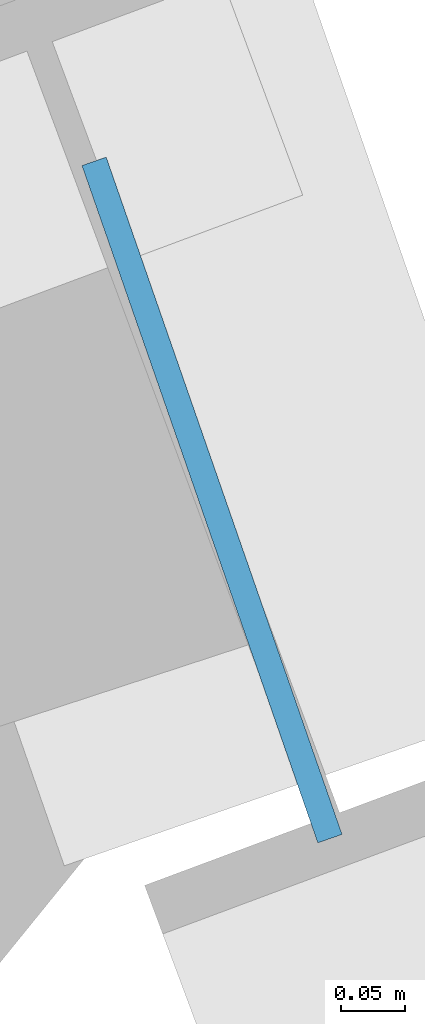
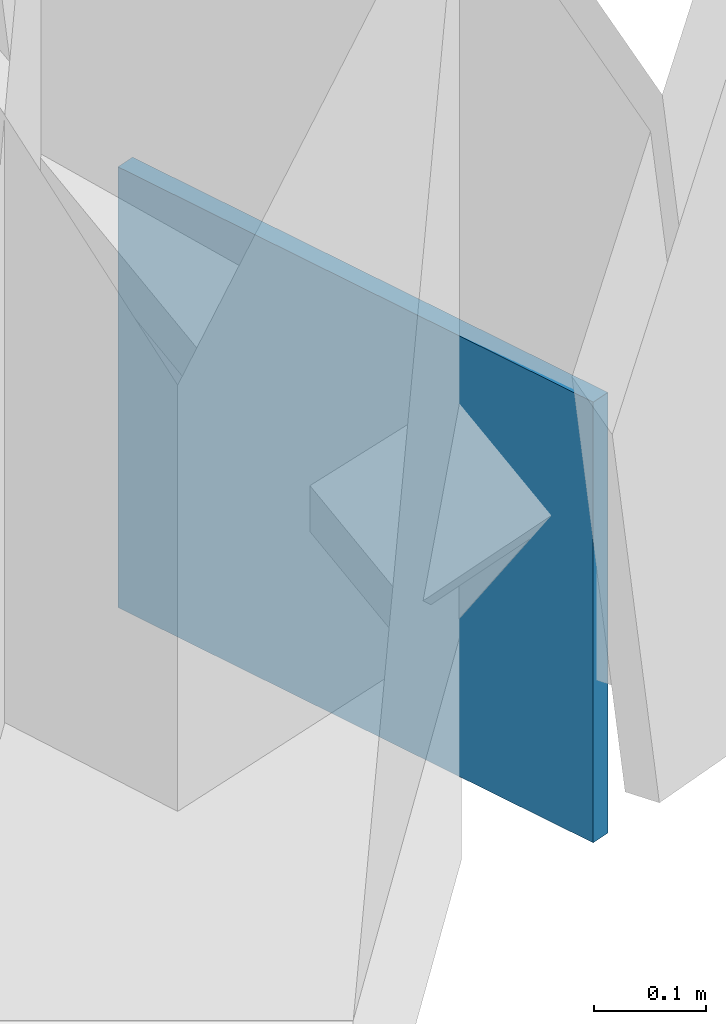
# One storey, part 11 of 21: 1 plate.
"""IFC4 building model written with IfcOpenShell, lengths in metres."""

import ifcopenshell
import ifcopenshell.guid

model = None  # the IFC model being written
_history = None  # IfcOwnerHistory: only IFC2X3 demands one
_inside = {}  # id of a spatial element -> (the spatial element, [elements in it])
_under = {}  # id of a project, library or spatial element -> (it, [spatial elements below it])
_declared = {}  # id of a project -> (the project, [libraries it declares])
_typed = {}  # id of a type object -> (the type object, [elements of that type])
_made_of = {}  # id of a material, layer set ... -> (it, [elements and type objects made of it])


def new_model(schema):
    """Start an empty IFC model of exactly this schema.

    Asked for "IFC4X3", IfcOpenShell would pick the latest addendum, in which some entities
    have other attributes; the version numbers below select the first issue.
    IFC2X3 requires an IfcOwnerHistory on every rooted entity: one is made here for all.
    """
    global model, _history
    if schema == "IFC4X3":
        model = ifcopenshell.file(schema_version=(4, 3, 0, 0))
    else:
        model = ifcopenshell.file(schema=schema)
    _inside.clear()
    _under.clear()
    _declared.clear()
    _typed.clear()
    _made_of.clear()
    _history = None
    if model.schema == "IFC2X3":
        org = make("IfcOrganization", Name="unknown")
        user = make(
            "IfcPersonAndOrganization",
            ThePerson=make("IfcPerson", FamilyName="unknown"),
            TheOrganization=org,
        )
        app = make(
            "IfcApplication",
            ApplicationDeveloper=org,
            Version="unknown",
            ApplicationFullName="unknown",
            ApplicationIdentifier="unknown",
        )
        _history = make(
            "IfcOwnerHistory",
            OwningUser=user,
            OwningApplication=app,
            ChangeAction="ADDED",
            CreationDate=0,
        )
    return model


def make(cls, **values):
    """One entity of the class cls with the attributes given. An attribute that is None is left unset."""
    return model.create_entity(
        cls, **{name: value for name, value in values.items() if value is not None}
    )


def rooted(cls, **values):
    """An entity with a GlobalId (a new one), such as an element, a storey or a relation."""
    return make(cls, GlobalId=ifcopenshell.guid.new(), OwnerHistory=_history, **values)


def si_unit(unit_type, name, prefix=None):
    """IfcSIUnit, for example si_unit("LENGTHUNIT", "METRE", prefix="MILLI")."""
    return make("IfcSIUnit", UnitType=unit_type, Prefix=prefix, Name=name)


def assignment(units):
    """IfcUnitAssignment: the units of a project."""
    return None if units is None else make("IfcUnitAssignment", Units=units)


def point(xyz):
    """IfcCartesianPoint."""
    return None if xyz is None else make("IfcCartesianPoint", Coordinates=xyz)


def direction(xyz):
    """IfcDirection."""
    return None if xyz is None else make("IfcDirection", DirectionRatios=xyz)


def frame(location, z_axis=None, x_axis=None):
    """IfcAxis2Placement3D, a coordinate frame: its origin and axes. An axis left out is left unset."""
    return make(
        "IfcAxis2Placement3D",
        Location=point(location),
        Axis=direction(z_axis),
        RefDirection=direction(x_axis),
    )


def frame_2d(location, x_axis=None):
    """IfcAxis2Placement2D, a coordinate frame in the plane: its origin and x axis."""
    return make(
        "IfcAxis2Placement2D", Location=point(location), RefDirection=direction(x_axis)
    )


def origin():
    """The frame at (0, 0, 0) with its axes left unset."""
    return frame((0.0, 0.0, 0.0))


def origin_2d():
    """The frame at (0, 0) in the plane with its x axis left unset."""
    return frame_2d((0.0, 0.0))


def place(relative_to, where):
    """IfcLocalPlacement: puts the frame where relative to a parent placement (None: the world)."""
    return make(
        "IfcLocalPlacement", PlacementRelTo=relative_to, RelativePlacement=where
    )


def context(
    kind, dimensions, precision=None, world=None, true_north=None, identifier=None
):
    """IfcGeometricRepresentationContext, for example the 3D "Model" context."""
    return make(
        "IfcGeometricRepresentationContext",
        ContextIdentifier=identifier,
        ContextType=kind,
        CoordinateSpaceDimension=dimensions,
        Precision=precision,
        WorldCoordinateSystem=world,
        TrueNorth=true_north,
    )


def subcontext(parent, identifier, kind, view, scale=None):
    """IfcGeometricRepresentationSubContext, for example "Body" below "Model"."""
    return make(
        "IfcGeometricRepresentationSubContext",
        ContextIdentifier=identifier,
        ContextType=kind,
        ParentContext=parent,
        TargetScale=scale,
        TargetView=view,
    )


def project(units=None, contexts=None):
    """IfcProject with its units and contexts."""
    return rooted(
        "IfcProject",
        Name="project",
        RepresentationContexts=contexts,
        UnitsInContext=assignment(units),
    )


def spatial(cls, under=None, at=None, **own):
    """A site, building, storey or space (cls), placed at a placement, below another one or the project."""
    s = rooted(cls, ObjectPlacement=at, **own)
    if under is not None:
        _under.setdefault(under.id(), (under, []))[1].append(s)
    return s


def profile(cls, at=None, kind="AREA", **sizes):
    """A parametric profile (cls). Its sizes go by their IFC names, for example OverallWidth=200.0."""
    return make(cls, ProfileType=kind, Position=at, **sizes)


def rectangle(**sizes):
    """IfcRectangleProfileDef."""
    return profile("IfcRectangleProfileDef", **sizes)


def extrude(swept, where, along, depth):
    """IfcExtrudedAreaSolid: the profile swept, set in the frame where, extruded along a direction by depth."""
    return make(
        "IfcExtrudedAreaSolid",
        SweptArea=swept,
        Position=where,
        ExtrudedDirection=direction(along),
        Depth=depth,
    )


def shape(context_of_items, identifier, shape_type, items):
    """IfcShapeRepresentation: the items that make up one representation, for example the "Body"."""
    return make(
        "IfcShapeRepresentation",
        ContextOfItems=context_of_items,
        RepresentationIdentifier=identifier,
        RepresentationType=shape_type,
        Items=items,
    )


def source(mapping_origin, context_of_items, identifier, shape_type, items):
    """IfcRepresentationMap: a shape defined once, which mapped items show again and again."""
    return make(
        "IfcRepresentationMap",
        MappingOrigin=mapping_origin,
        MappedRepresentation=shape(context_of_items, identifier, shape_type, items),
    )


def transform(
    local_origin,
    x_axis=None,
    y_axis=None,
    z_axis=None,
    scale=None,
    scale2=None,
    scale3=None,
    uniform=True,
):
    """IfcCartesianTransformationOperator3D, or its non-uniform kind. x_axis, y_axis, z_axis: its Axis1, 2, 3."""
    if uniform:
        return make(
            "IfcCartesianTransformationOperator3D",
            Axis1=direction(x_axis),
            Axis2=direction(y_axis),
            LocalOrigin=point(local_origin),
            Scale=scale,
            Axis3=direction(z_axis),
        )
    return make(
        "IfcCartesianTransformationOperator3DnonUniform",
        Axis1=direction(x_axis),
        Axis2=direction(y_axis),
        LocalOrigin=point(local_origin),
        Scale=scale,
        Axis3=direction(z_axis),
        Scale2=scale2,
        Scale3=scale3,
    )


def mapped(mapping_source, mapping_target):
    """IfcMappedItem: shows the shape of a source again, moved by a transform."""
    return make(
        "IfcMappedItem", MappingSource=mapping_source, MappingTarget=mapping_target
    )


def material(Name=None, Category=None):
    """IfcMaterial."""
    return make("IfcMaterial", Name=Name, Category=Category)


def made_of(thing, what):
    """Note that an element or type object is made of a material, layer set ...; save() writes the relation."""
    if what is not None:
        _made_of.setdefault(what.id(), (what, []))[1].append(thing)
    return thing


def type_object(cls, material=None, **own):
    """A type object (cls), such as IfcWallType, which elements share."""
    return made_of(rooted(cls, **own), material)


def element(
    cls,
    number,
    at=None,
    inside=None,
    cuts=None,
    type_object=None,
    material=None,
    context=None,
    identifier="Body",
    shape_type=None,
    held_by="IfcProductDefinitionShape",
    body=None,
    shapes=None,
    **own,
):
    """One element of the class cls, such as IfcWall. Its Tag is "e" and its number.

    at: its placement. inside: the storey or other place that contains it. cuts: it is an
    opening in that element (IfcRelVoidsElement). A single representation is given by context,
    identifier, shape_type and body (its items); several are given by shapes. held_by: the class
    of the entity that holds the representations. save() writes the other relations.
    """
    e = rooted(cls, Tag="e%d" % number, ObjectPlacement=at, **own)
    if body is not None:
        shapes = [shape(context, identifier, shape_type, body)]
    if shapes is not None:
        e.Representation = make(held_by, Representations=shapes)
    if inside is not None:
        _inside.setdefault(inside.id(), (inside, []))[1].append(e)
    if cuts is not None:
        rooted(
            "IfcRelVoidsElement", RelatingBuildingElement=cuts, RelatedOpeningElement=e
        )
    if type_object is not None:
        _typed.setdefault(type_object.id(), (type_object, []))[1].append(e)
    return made_of(e, material)


def aggregate(whole, parts):
    """IfcRelAggregates: a whole, such as a stair, and the parts it consists of."""
    return rooted("IfcRelAggregates", RelatingObject=whole, RelatedObjects=parts)


def save(model, path):
    """Write the relations noted so far, then the file.

    IfcRelAggregates (storeys below a building ...), IfcRelContainedInSpatialStructure (elements
    in a storey), IfcRelDefinesByType, IfcRelAssociatesMaterial and IfcRelDeclares: one each for
    every whole, place, type object, material and project.
    """
    for whole, parts in _under.values():
        aggregate(whole, parts)
    for where, things in _inside.values():
        rooted(
            "IfcRelContainedInSpatialStructure",
            RelatedElements=things,
            RelatingStructure=where,
        )
    for kind, things in _typed.values():
        rooted("IfcRelDefinesByType", RelatedObjects=things, RelatingType=kind)
    for what, things in _made_of.values():
        rooted("IfcRelAssociatesMaterial", RelatedObjects=things, RelatingMaterial=what)
    for by, libraries in _declared.values():
        rooted("IfcRelDeclares", RelatingContext=by, RelatedDefinitions=libraries)
    model.write(path)


model = new_model("IFC4")

# Units and contexts
model_context = context("Model", 3, precision=1e-05, world=origin(), true_north=direction((0.0, 1.0)))
body_context = subcontext(model_context, "Body", "Model", "MODEL_VIEW")
ifc_project = project(units=[si_unit("LENGTHUNIT", "METRE"), si_unit("AREAUNIT", "SQUARE_METRE"), si_unit("VOLUMEUNIT", "CUBIC_METRE"), si_unit("PLANEANGLEUNIT", "RADIAN"), si_unit("MASSUNIT", "GRAM", prefix="KILO")], contexts=[model_context])

# Site, building, storey
site_placement = place(None, origin())
site = spatial("IfcSite", under=ifc_project, at=site_placement, CompositionType="ELEMENT")
building_placement = place(site_placement, origin())
building = spatial("IfcBuilding", under=site, at=building_placement, Name="Olszyna Solenne Hotel", CompositionType="ELEMENT")
storey_placement = place(building_placement, frame((0.0, 0.0, 109.25)))
storey = spatial("IfcBuildingStorey", under=building, at=storey_placement, Name="L28", CompositionType="ELEMENT", Elevation=109.25)

# Plate
ifc_material = material(Name="Steel S355J2", Category="steel")
plate_type = type_object("IfcPlateType", Name="GP-ND2", PredefinedType="USERDEFINED", material=ifc_material)
shared_shape = source(origin(), body_context, "Body", "SweptSolid", [
    extrude(rectangle(XDim=0.56005859375, YDim=0.02001953125, at=origin_2d()), origin(), (0.0, 0.0, 1.0), 0.47998046875),
])
plate_placement = place(storey_placement, frame((67.05322265625, 34.32421875, -0.152099609375), z_axis=(0.0, 0.0, 1.0), x_axis=(-0.328866646739, 0.944376370237, 0.0)))
element("IfcPlate", 1, at=plate_placement, inside=storey, type_object=plate_type, Name="Brace end connection gusset plate GP-ND2 EP-BR-L28-1-1", ObjectType="GUSSET_PLATE", PredefinedType="USERDEFINED", context=body_context, shape_type="MappedRepresentation", body=[
    mapped(shared_shape, transform((0.0, 0.0, 0.0), x_axis=(1.0, 0.0, 0.0), y_axis=(0.0, 1.0, 0.0), z_axis=(0.0, 0.0, 1.0), scale=1.0)),
])

save(model, "model.ifc")
